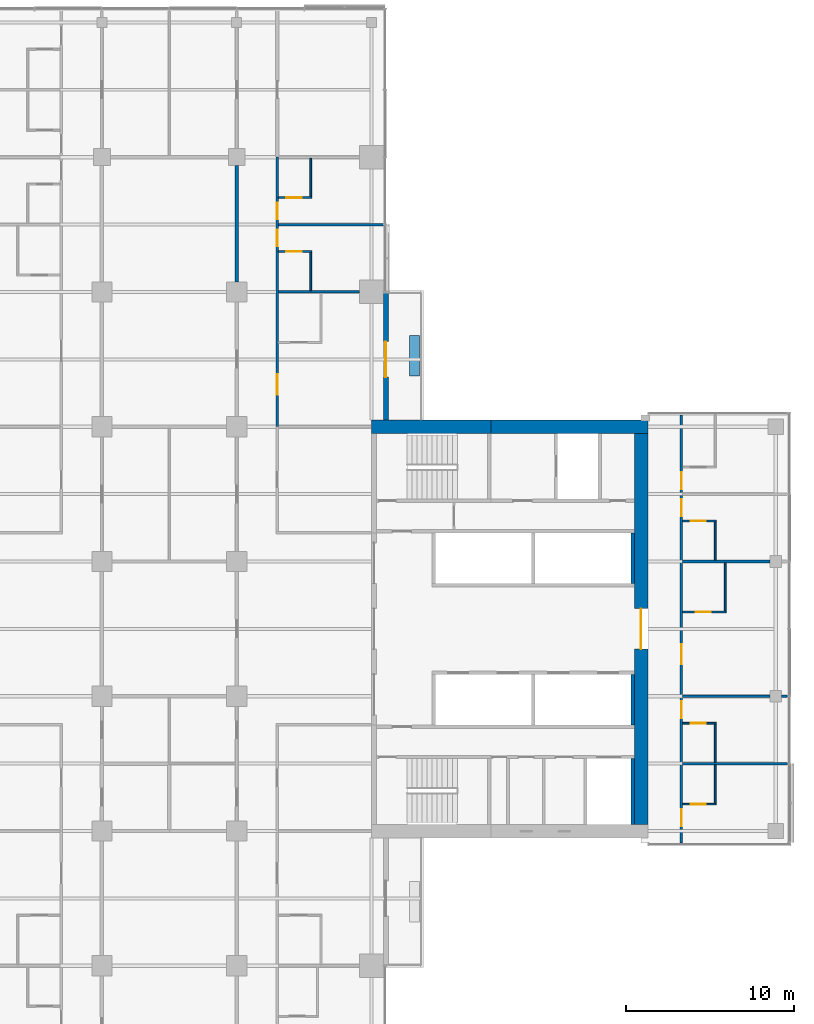
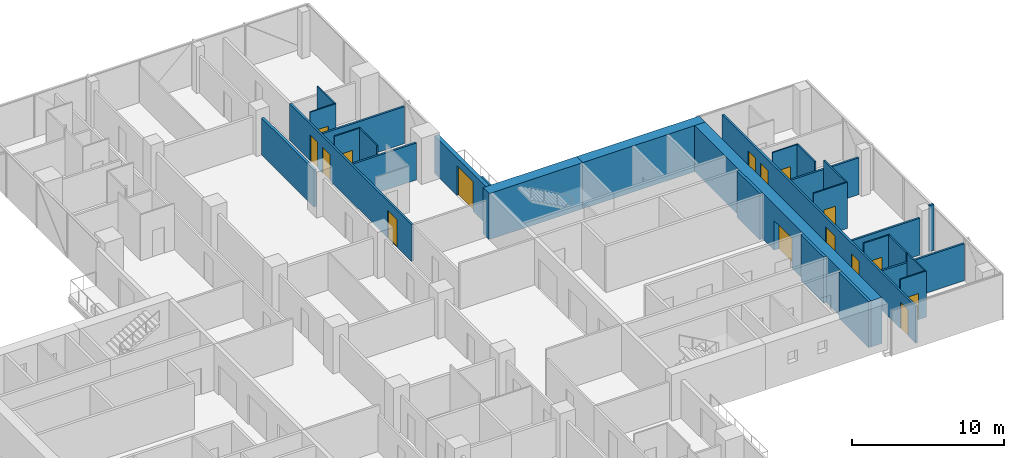
# One storey, part 21 of 27: 29 walls, 16 doors, 16 openings.
"""IFC4 building model written with IfcOpenShell, lengths in metres."""

import ifcopenshell
import ifcopenshell.guid

model = None  # the IFC model being written
_history = None  # IfcOwnerHistory: only IFC2X3 demands one
_inside = {}  # id of a spatial element -> (the spatial element, [elements in it])
_under = {}  # id of a project, library or spatial element -> (it, [spatial elements below it])
_declared = {}  # id of a project -> (the project, [libraries it declares])
_typed = {}  # id of a type object -> (the type object, [elements of that type])
_made_of = {}  # id of a material, layer set ... -> (it, [elements and type objects made of it])


def new_model(schema):
    """Start an empty IFC model of exactly this schema.

    Asked for "IFC4X3", IfcOpenShell would pick the latest addendum, in which some entities
    have other attributes; the version numbers below select the first issue.
    IFC2X3 requires an IfcOwnerHistory on every rooted entity: one is made here for all.
    """
    global model, _history
    if schema == "IFC4X3":
        model = ifcopenshell.file(schema_version=(4, 3, 0, 0))
    else:
        model = ifcopenshell.file(schema=schema)
    _inside.clear()
    _under.clear()
    _declared.clear()
    _typed.clear()
    _made_of.clear()
    _history = None
    if model.schema == "IFC2X3":
        org = make("IfcOrganization", Name="unknown")
        user = make(
            "IfcPersonAndOrganization",
            ThePerson=make("IfcPerson", FamilyName="unknown"),
            TheOrganization=org,
        )
        app = make(
            "IfcApplication",
            ApplicationDeveloper=org,
            Version="unknown",
            ApplicationFullName="unknown",
            ApplicationIdentifier="unknown",
        )
        _history = make(
            "IfcOwnerHistory",
            OwningUser=user,
            OwningApplication=app,
            ChangeAction="ADDED",
            CreationDate=0,
        )
    return model


def make(cls, **values):
    """One entity of the class cls with the attributes given. An attribute that is None is left unset."""
    return model.create_entity(
        cls, **{name: value for name, value in values.items() if value is not None}
    )


def rooted(cls, **values):
    """An entity with a GlobalId (a new one), such as an element, a storey or a relation."""
    return make(cls, GlobalId=ifcopenshell.guid.new(), OwnerHistory=_history, **values)


def si_unit(unit_type, name, prefix=None):
    """IfcSIUnit, for example si_unit("LENGTHUNIT", "METRE", prefix="MILLI")."""
    return make("IfcSIUnit", UnitType=unit_type, Prefix=prefix, Name=name)


def assignment(units):
    """IfcUnitAssignment: the units of a project."""
    return None if units is None else make("IfcUnitAssignment", Units=units)


def point(xyz):
    """IfcCartesianPoint."""
    return None if xyz is None else make("IfcCartesianPoint", Coordinates=xyz)


def direction(xyz):
    """IfcDirection."""
    return None if xyz is None else make("IfcDirection", DirectionRatios=xyz)


def frame(location, z_axis=None, x_axis=None):
    """IfcAxis2Placement3D, a coordinate frame: its origin and axes. An axis left out is left unset."""
    return make(
        "IfcAxis2Placement3D",
        Location=point(location),
        Axis=direction(z_axis),
        RefDirection=direction(x_axis),
    )


def frame_2d(location, x_axis=None):
    """IfcAxis2Placement2D, a coordinate frame in the plane: its origin and x axis."""
    return make(
        "IfcAxis2Placement2D", Location=point(location), RefDirection=direction(x_axis)
    )


def origin():
    """The frame at (0, 0, 0) with its axes left unset."""
    return frame((0.0, 0.0, 0.0))


def place(relative_to, where):
    """IfcLocalPlacement: puts the frame where relative to a parent placement (None: the world)."""
    return make(
        "IfcLocalPlacement", PlacementRelTo=relative_to, RelativePlacement=where
    )


def context(
    kind, dimensions, precision=None, world=None, true_north=None, identifier=None
):
    """IfcGeometricRepresentationContext, for example the 3D "Model" context."""
    return make(
        "IfcGeometricRepresentationContext",
        ContextIdentifier=identifier,
        ContextType=kind,
        CoordinateSpaceDimension=dimensions,
        Precision=precision,
        WorldCoordinateSystem=world,
        TrueNorth=true_north,
    )


def subcontext(parent, identifier, kind, view, scale=None):
    """IfcGeometricRepresentationSubContext, for example "Body" below "Model"."""
    return make(
        "IfcGeometricRepresentationSubContext",
        ContextIdentifier=identifier,
        ContextType=kind,
        ParentContext=parent,
        TargetScale=scale,
        TargetView=view,
    )


def project(units=None, contexts=None):
    """IfcProject with its units and contexts."""
    return rooted(
        "IfcProject",
        Name="project",
        RepresentationContexts=contexts,
        UnitsInContext=assignment(units),
    )


def spatial(cls, under=None, at=None, **own):
    """A site, building, storey or space (cls), placed at a placement, below another one or the project."""
    s = rooted(cls, ObjectPlacement=at, **own)
    if under is not None:
        _under.setdefault(under.id(), (under, []))[1].append(s)
    return s


def profile(cls, at=None, kind="AREA", **sizes):
    """A parametric profile (cls). Its sizes go by their IFC names, for example OverallWidth=200.0."""
    return make(cls, ProfileType=kind, Position=at, **sizes)


def rectangle(**sizes):
    """IfcRectangleProfileDef."""
    return profile("IfcRectangleProfileDef", **sizes)


def extrude(swept, where, along, depth):
    """IfcExtrudedAreaSolid: the profile swept, set in the frame where, extruded along a direction by depth."""
    return make(
        "IfcExtrudedAreaSolid",
        SweptArea=swept,
        Position=where,
        ExtrudedDirection=direction(along),
        Depth=depth,
    )


def shape(context_of_items, identifier, shape_type, items):
    """IfcShapeRepresentation: the items that make up one representation, for example the "Body"."""
    return make(
        "IfcShapeRepresentation",
        ContextOfItems=context_of_items,
        RepresentationIdentifier=identifier,
        RepresentationType=shape_type,
        Items=items,
    )


def material(Name=None, Category=None):
    """IfcMaterial."""
    return make("IfcMaterial", Name=Name, Category=Category)


def layer(
    of_material, thickness, ventilated=None, Name=None, Category=None, Priority=None
):
    """IfcMaterialLayer: one layer of a wall or slab, of a material (None: an air gap)."""
    return make(
        "IfcMaterialLayer",
        Material=of_material,
        LayerThickness=thickness,
        IsVentilated=ventilated,
        Name=Name,
        Category=Category,
        Priority=Priority,
    )


def layer_set(layers, Name=None):
    """IfcMaterialLayerSet."""
    return make("IfcMaterialLayerSet", MaterialLayers=layers, LayerSetName=Name)


def constituent(of_material, Name=None, Category=None, fraction=None):
    """IfcMaterialConstituent: one of the materials an element consists of."""
    return make(
        "IfcMaterialConstituent",
        Name=Name,
        Material=of_material,
        Fraction=fraction,
        Category=Category,
    )


def constituent_set(constituents=None, Name=None):
    """IfcMaterialConstituentSet."""
    return make(
        "IfcMaterialConstituentSet", Name=Name, MaterialConstituents=constituents
    )


def made_of(thing, what):
    """Note that an element or type object is made of a material, layer set ...; save() writes the relation."""
    if what is not None:
        _made_of.setdefault(what.id(), (what, []))[1].append(thing)
    return thing


def type_object(cls, material=None, **own):
    """A type object (cls), such as IfcWallType, which elements share."""
    return made_of(rooted(cls, **own), material)


def element(
    cls,
    number,
    at=None,
    inside=None,
    cuts=None,
    type_object=None,
    material=None,
    context=None,
    identifier="Body",
    shape_type=None,
    held_by="IfcProductDefinitionShape",
    body=None,
    shapes=None,
    **own,
):
    """One element of the class cls, such as IfcWall. Its Tag is "e" and its number.

    at: its placement. inside: the storey or other place that contains it. cuts: it is an
    opening in that element (IfcRelVoidsElement). A single representation is given by context,
    identifier, shape_type and body (its items); several are given by shapes. held_by: the class
    of the entity that holds the representations. save() writes the other relations.
    """
    e = rooted(cls, Tag="e%d" % number, ObjectPlacement=at, **own)
    if body is not None:
        shapes = [shape(context, identifier, shape_type, body)]
    if shapes is not None:
        e.Representation = make(held_by, Representations=shapes)
    if inside is not None:
        _inside.setdefault(inside.id(), (inside, []))[1].append(e)
    if cuts is not None:
        rooted(
            "IfcRelVoidsElement", RelatingBuildingElement=cuts, RelatedOpeningElement=e
        )
    if type_object is not None:
        _typed.setdefault(type_object.id(), (type_object, []))[1].append(e)
    return made_of(e, material)


def fill(opening, filler):
    """IfcRelFillsElement: the door or window that sits in an opening."""
    return rooted(
        "IfcRelFillsElement",
        RelatingOpeningElement=opening,
        RelatedBuildingElement=filler,
    )


def aggregate(whole, parts):
    """IfcRelAggregates: a whole, such as a stair, and the parts it consists of."""
    return rooted("IfcRelAggregates", RelatingObject=whole, RelatedObjects=parts)


def save(model, path):
    """Write the relations noted so far, then the file.

    IfcRelAggregates (storeys below a building ...), IfcRelContainedInSpatialStructure (elements
    in a storey), IfcRelDefinesByType, IfcRelAssociatesMaterial and IfcRelDeclares: one each for
    every whole, place, type object, material and project.
    """
    for whole, parts in _under.values():
        aggregate(whole, parts)
    for where, things in _inside.values():
        rooted(
            "IfcRelContainedInSpatialStructure",
            RelatedElements=things,
            RelatingStructure=where,
        )
    for kind, things in _typed.values():
        rooted("IfcRelDefinesByType", RelatedObjects=things, RelatingType=kind)
    for what, things in _made_of.values():
        rooted("IfcRelAssociatesMaterial", RelatedObjects=things, RelatingMaterial=what)
    for by, libraries in _declared.values():
        rooted("IfcRelDeclares", RelatingContext=by, RelatedDefinitions=libraries)
    model.write(path)


model = new_model("IFC4")

# Units and contexts
model_context = context("Model", 3, precision=1e-05, world=origin(), true_north=direction((0.0, 1.0)))
body_context = subcontext(model_context, "Body", "Model", "MODEL_VIEW")
ifc_project = project(units=[si_unit("LENGTHUNIT", "METRE"), si_unit("AREAUNIT", "SQUARE_METRE"), si_unit("VOLUMEUNIT", "CUBIC_METRE"), si_unit("PLANEANGLEUNIT", "RADIAN"), si_unit("MASSUNIT", "GRAM", prefix="KILO")], contexts=[model_context])

# Site, building, storey
site_placement = place(None, origin())
site = spatial("IfcSite", under=ifc_project, at=site_placement, CompositionType="ELEMENT")
building_placement = place(site_placement, origin())
building = spatial("IfcBuilding", under=site, at=building_placement, Name="Crosswind Convention Tower", CompositionType="ELEMENT")
storey_placement = place(building_placement, frame((0.0, 0.0, 72.0)))
storey = spatial("IfcBuildingStorey", under=building, at=storey_placement, Name="L12", CompositionType="ELEMENT", Elevation=72.0)

# Wall, opening, door
ifc_material_1 = material(Name="Concrete C60/75", Category="concrete")
ifc_layer_1 = layer(ifc_material_1, 0.800048828125)
ifc_layer_set_1 = layer_set([ifc_layer_1], Name="Concrete C60/75")
wall_type_1 = type_object("IfcWallType", Name="Concrete core wall 800", PredefinedType="SHEAR", material=ifc_layer_set_1)
wall_1_placement = place(storey_placement, frame((153.0, 88.39990234375, 0.0), z_axis=(0.0, 0.0, 1.0), x_axis=(0.0, 1.0, 0.0)))
wall_1 = element("IfcWall", 1, at=wall_1_placement, inside=storey, type_object=wall_type_1, Name="Wall O E L12", PredefinedType="SHEAR", context=body_context, shape_type="SweptSolid", body=[
    extrude(rectangle(XDim=23.2001953125, YDim=0.800048828125, at=frame_2d((11.60009765625, 0.0))), origin(), (0.0, 0.0, 1.0), 3.699951171875),
])
opening_1_placement = place(wall_1_placement, frame((10.39990234375, 0.0, 0.0)))
opening_1 = element("IfcOpeningElement", 2, at=opening_1_placement, cuts=wall_1, Name="Opening D100", PredefinedType="OPENING", context=body_context, shape_type="SweptSolid", body=[
    extrude(rectangle(XDim=2.39990234375, YDim=2.39990234375, at=frame_2d((1.199951171875, 1.199951171875))), frame((0.0, 0.409912109375, 0.0), z_axis=(0.0, -1.0, 0.0), x_axis=(1.0, 0.0, 0.0)), (0.0, 0.0, 1.0), 0.820068359375),
])
ifc_material_2 = material(Name="Steel fire door with glazed vision panels", Category="steel")
door_type_1 = type_object("IfcDoorType", Name="Fire-rated double door 2400x2400", OperationType="DOUBLE_DOOR_SINGLE_SWING", PredefinedType="DOOR", material=ifc_material_2)
door_1_placement = place(opening_1_placement, origin())
door_1 = element("IfcDoor", 3, at=door_1_placement, inside=storey, type_object=door_type_1, Name="Lobby outer door L12", ObjectType="D100", OperationType="DOUBLE_DOOR_SINGLE_SWING", OverallHeight=2.39990234375, OverallWidth=2.39990234375, PredefinedType="DOOR", context=body_context, shape_type="SweptSolid", body=[
    extrude(rectangle(XDim=2.39990234375, YDim=2.39990234375, at=frame_2d((1.199951171875, 1.199951171875))), frame((0.0, 0.02490234375, 0.0), z_axis=(0.0, -1.0, 0.0), x_axis=(1.0, 0.0, 0.0)), (0.0, 0.0, 1.0), 0.050048828125),
])
fill(opening_1, door_1)

# Walls
ifc_material_3 = material(Name="Concrete C50/60", Category="concrete")
ifc_layer_2 = layer(ifc_material_3, 0.199951171875)
ifc_layer_set_2 = layer_set([ifc_layer_2], Name="Concrete C50/60")
wall_type_2 = type_object("IfcWallType", Name="Concrete shaft and stair wall 200", PredefinedType="SHEAR", material=ifc_layer_set_2)
for number, where, z_axis, x_axis, name in (
    (4, (152.5, 102.699951171875, 0.0), (0.0, 0.0, 1.0), (0.0, 1.0, 0.0), "Wall RPEAST E L12"),
    (5, (152.5, 94.300048828125, 0.0), (0.0, 0.0, 1.0), (0.0, 1.0, 0.0), "Wall RMEAST E L12"),
):
    element("IfcWall", number, at=place(storey_placement, frame(where, z_axis=z_axis, x_axis=x_axis)), inside=storey, type_object=wall_type_2, Name=name, PredefinedType="SHEAR", context=body_context, shape_type="SweptSolid", body=[
        extrude(rectangle(XDim=3.0, YDim=0.199951171875, at=frame_2d((1.5, 0.0))), origin(), (0.0, 0.0, 1.0), 3.699951171875),
    ])
wall_2_placement = place(storey_placement, frame((152.5, 88.39990234375, 0.0), z_axis=(0.0, 0.0, 1.0), x_axis=(0.0, 1.0, 0.0)))
element("IfcWall", 6, at=wall_2_placement, inside=storey, type_object=wall_type_2, Name="Wall MFSE E L12", PredefinedType="SHEAR", context=body_context, shape_type="SweptSolid", body=[
    extrude(rectangle(XDim=3.900146484375, YDim=0.199951171875, at=frame_2d((1.9501953125, 0.0))), origin(), (0.0, 0.0, 1.0), 3.699951171875),
])
ifc_material_4 = material(Name="Acoustic plasterboard partition", Category="gypsum")
ifc_layer_3 = layer(ifc_material_4, 0.14990234375)
ifc_layer_set_3 = layer_set([ifc_layer_3], Name="GUEST ROOM WALL 150")
wall_type_3 = type_object("IfcWallType", Name="GUEST ROOM WALL 150", PredefinedType="PARTITIONING", material=ifc_layer_set_3)
wall_3_placement = place(storey_placement, frame((155.47509765625, 92.0, 0.0), z_axis=(0.0, 0.0, 1.0), x_axis=(1.0, 0.0, 0.0)))
element("IfcWall", 7, at=wall_3_placement, inside=storey, type_object=wall_type_3, Name="Guest Room Wall 24", PredefinedType="PARTITIONING", context=body_context, shape_type="SweptSolid", body=[
    extrude(rectangle(XDim=6.224853515625, YDim=0.14990234375, at=frame_2d((3.1123046875, 0.0))), origin(), (0.0, 0.0, 1.0), 2.962890625),
])
wall_4_placement = place(storey_placement, frame((155.47509765625, 96.0, 0.0), z_axis=(0.0, 0.0, 1.0), x_axis=(1.0, 0.0, 0.0)))
element("IfcWall", 8, at=wall_4_placement, inside=storey, type_object=wall_type_3, Name="Guest Room Wall 32", PredefinedType="PARTITIONING", context=body_context, shape_type="SweptSolid", body=[
    extrude(rectangle(XDim=5.1748046875, YDim=0.14990234375, at=frame_2d((2.58740234375, 0.0))), origin(), (0.0, 0.0, 1.0), 2.956298828125),
])
wall_5_placement = place(storey_placement, frame((161.35009765625, 96.0, 0.0), z_axis=(0.0, 0.0, 1.0), x_axis=(1.0, 0.0, 0.0)))
element("IfcWall", 9, at=wall_5_placement, inside=storey, type_object=wall_type_3, Name="Guest Room Wall 33", PredefinedType="PARTITIONING", context=body_context, shape_type="SweptSolid", body=[
    extrude(rectangle(XDim=0.349853515625, YDim=0.14990234375, at=frame_2d((0.1748046875, 0.0))), origin(), (0.0, 0.0, 1.0), 3.699951171875),
])
wall_6_placement = place(storey_placement, frame((155.47509765625, 104.0, 0.0), z_axis=(0.0, 0.0, 1.0), x_axis=(1.0, 0.0, 0.0)))
element("IfcWall", 10, at=wall_6_placement, inside=storey, type_object=wall_type_3, Name="Guest Room Wall 41", PredefinedType="PARTITIONING", context=body_context, shape_type="SweptSolid", body=[
    extrude(rectangle(XDim=5.1748046875, YDim=0.14990234375, at=frame_2d((2.58740234375, 0.0))), origin(), (0.0, 0.0, 1.0), 2.956298828125),
])
wall_7_placement = place(storey_placement, frame((131.47509765625, 120.0, 0.0), z_axis=(0.0, 0.0, 1.0), x_axis=(1.0, 0.0, 0.0)))
element("IfcWall", 11, at=wall_7_placement, inside=storey, type_object=wall_type_3, Name="Guest Room Wall 55", PredefinedType="PARTITIONING", context=body_context, shape_type="SweptSolid", body=[
    extrude(rectangle(XDim=4.824951171875, YDim=0.14990234375, at=frame_2d((2.41259765625, 0.0))), origin(), (0.0, 0.0, 1.0), 2.959716796875),
])
wall_8_placement = place(storey_placement, frame((131.47509765625, 124.0, 0.0), z_axis=(0.0, 0.0, 1.0), x_axis=(1.0, 0.0, 0.0)))
element("IfcWall", 12, at=wall_8_placement, inside=storey, type_object=wall_type_3, Name="Guest Room Wall 59", PredefinedType="PARTITIONING", context=body_context, shape_type="SweptSolid", body=[
    extrude(rectangle(XDim=6.224853515625, YDim=0.14990234375, at=frame_2d((3.1123046875, 0.0))), origin(), (0.0, 0.0, 1.0), 2.962890625),
])

# Wall, openings, doors
wall_9_placement = place(storey_placement, frame((131.39990234375, 112.0, 0.0), z_axis=(0.0, 0.0, 1.0), x_axis=(0.0, 1.0, 0.0)))
wall_9 = element("IfcWall", 13, at=wall_9_placement, inside=storey, type_object=wall_type_3, Name="Guest Room Wall 118", PredefinedType="PARTITIONING", context=body_context, shape_type="SweptSolid", body=[
    extrude(rectangle(XDim=16.0, YDim=0.14990234375, at=frame_2d((8.0, 0.0))), origin(), (0.0, 0.0, 1.0), 2.956298828125),
])
opening_2_placement = place(wall_9_placement, frame((1.89990234375, 0.0, 0.0)))
opening_2 = element("IfcOpeningElement", 14, at=opening_2_placement, cuts=wall_9, Name="Opening 12.005", PredefinedType="OPENING", context=body_context, shape_type="SweptSolid", body=[
    extrude(rectangle(XDim=1.199951171875, YDim=2.199951171875, at=frame_2d((0.60009765625, 1.10009765625))), frame((0.0, 0.0849609375, 0.0), z_axis=(0.0, -1.0, 0.0), x_axis=(1.0, 0.0, 0.0)), (0.0, 0.0, 1.0), 0.169921875),
])
opening_3_placement = place(wall_9_placement, frame((10.699951171875, 0.0, 0.0)))
opening_3 = element("IfcOpeningElement", 15, at=opening_3_placement, cuts=wall_9, Name="Opening 12.007", PredefinedType="OPENING", context=body_context, shape_type="SweptSolid", body=[
    extrude(rectangle(XDim=1.0, YDim=2.10009765625, at=frame_2d((0.5, 1.050048828125))), frame((0.0, 0.0849609375, 0.0), z_axis=(0.0, -1.0, 0.0), x_axis=(1.0, 0.0, 0.0)), (0.0, 0.0, 1.0), 0.169921875),
])
opening_4_placement = place(wall_9_placement, frame((12.300048828125, 0.0, 0.0)))
opening_4 = element("IfcOpeningElement", 16, at=opening_4_placement, cuts=wall_9, Name="Opening 12.009", PredefinedType="OPENING", context=body_context, shape_type="SweptSolid", body=[
    extrude(rectangle(XDim=1.0, YDim=2.10009765625, at=frame_2d((0.5, 1.050048828125))), frame((0.0, 0.0849609375, 0.0), z_axis=(0.0, -1.0, 0.0), x_axis=(1.0, 0.0, 0.0)), (0.0, 0.0, 1.0), 0.169921875),
])
ifc_material_5 = material(Name="Timber fire door", Category="wood")
door_type_2 = type_object("IfcDoorType", Name="GUEST ROOM DOOR 1000X2100", OperationType="NOTDEFINED", PredefinedType="DOOR", material=ifc_material_5)
door_2_placement = place(opening_3_placement, frame((1.0, 0.0, 0.0), z_axis=(0.0, 0.0, 1.0), x_axis=(-1.0, 0.0, 0.0)))
door_2 = element("IfcDoor", 17, at=door_2_placement, inside=storey, type_object=door_type_2, Name="Door 12.007", ObjectType="D1", OperationType="SINGLE_SWING_LEFT", OverallHeight=2.10009765625, OverallWidth=1.0, PredefinedType="DOOR", context=body_context, shape_type="SweptSolid", body=[
    extrude(rectangle(XDim=1.0, YDim=2.10009765625, at=frame_2d((0.5, 1.050048828125))), frame((0.0, 0.02490234375, 0.0), z_axis=(0.0, -1.0, 0.0), x_axis=(1.0, 0.0, 0.0)), (0.0, 0.0, 1.0), 0.050048828125),
])
fill(opening_3, door_2)
door_3_placement = place(opening_4_placement, frame((1.0, 0.0, 0.0), z_axis=(0.0, 0.0, 1.0), x_axis=(-1.0, 0.0, 0.0)))
door_3 = element("IfcDoor", 18, at=door_3_placement, inside=storey, type_object=door_type_2, Name="Door 12.009", ObjectType="D1", OperationType="SINGLE_SWING_LEFT", OverallHeight=2.10009765625, OverallWidth=1.0, PredefinedType="DOOR", context=body_context, shape_type="SweptSolid", body=[
    extrude(rectangle(XDim=1.0, YDim=2.10009765625, at=frame_2d((0.5, 1.050048828125))), frame((0.0, 0.02490234375, 0.0), z_axis=(0.0, -1.0, 0.0), x_axis=(1.0, 0.0, 0.0)), (0.0, 0.0, 1.0), 0.050048828125),
])
fill(opening_4, door_3)
door_type_3 = type_object("IfcDoorType", Name="SUITE DOOR 1200X2200", OperationType="DOUBLE_DOOR_SINGLE_SWING", PredefinedType="DOOR", material=ifc_material_5)
door_4_placement = place(opening_2_placement, frame((1.199951171875, 0.0, 0.0), z_axis=(0.0, 0.0, 1.0), x_axis=(-1.0, 0.0, 0.0)))
door_4 = element("IfcDoor", 19, at=door_4_placement, inside=storey, type_object=door_type_3, Name="Door 12.005", ObjectType="D14", OperationType="DOUBLE_DOOR_SINGLE_SWING", OverallHeight=2.199951171875, OverallWidth=1.199951171875, PredefinedType="DOOR", context=body_context, shape_type="SweptSolid", body=[
    extrude(rectangle(XDim=1.199951171875, YDim=2.199951171875, at=frame_2d((0.60009765625, 1.10009765625))), frame((0.0, 0.02490234375, 0.0), z_axis=(0.0, -1.0, 0.0), x_axis=(1.0, 0.0, 0.0)), (0.0, 0.0, 1.0), 0.050048828125),
])
fill(opening_2, door_4)

wall_10_placement = place(storey_placement, frame((155.39990234375, 87.300048828125, 0.0), z_axis=(0.0, 0.0, 1.0), x_axis=(0.0, 1.0, 0.0)))
wall_10 = element("IfcWall", 20, at=wall_10_placement, inside=storey, type_object=wall_type_3, Name="Guest Room Wall 127", PredefinedType="PARTITIONING", context=body_context, shape_type="SweptSolid", body=[
    extrude(rectangle(XDim=25.39990234375, YDim=0.14990234375, at=frame_2d((12.699951171875, 0.0))), origin(), (0.0, 0.0, 1.0), 2.956298828125),
])
opening_5_placement = place(wall_10_placement, frame((1.0, 0.0, 0.0)))
opening_5 = element("IfcOpeningElement", 21, at=opening_5_placement, cuts=wall_10, Name="Opening 12.035", PredefinedType="OPENING", context=body_context, shape_type="SweptSolid", body=[
    extrude(rectangle(XDim=1.0, YDim=2.10009765625, at=frame_2d((0.5, 1.050048828125))), frame((0.0, 0.0849609375, 0.0), z_axis=(0.0, -1.0, 0.0), x_axis=(1.0, 0.0, 0.0)), (0.0, 0.0, 1.0), 0.169921875),
])
opening_6_placement = place(wall_10_placement, frame((7.39990234375, 0.0, 0.0)))
opening_6 = element("IfcOpeningElement", 22, at=opening_6_placement, cuts=wall_10, Name="Opening 12.037", PredefinedType="OPENING", context=body_context, shape_type="SweptSolid", body=[
    extrude(rectangle(XDim=1.0, YDim=2.10009765625, at=frame_2d((0.5, 1.050048828125))), frame((0.0, 0.0849609375, 0.0), z_axis=(0.0, -1.0, 0.0), x_axis=(1.0, 0.0, 0.0)), (0.0, 0.0, 1.0), 0.169921875),
])
opening_7_placement = place(wall_10_placement, frame((10.60009765625, 0.0, 0.0)))
opening_7 = element("IfcOpeningElement", 23, at=opening_7_placement, cuts=wall_10, Name="Opening 12.039", PredefinedType="OPENING", context=body_context, shape_type="SweptSolid", body=[
    extrude(rectangle(XDim=1.199951171875, YDim=2.199951171875, at=frame_2d((0.60009765625, 1.10009765625))), frame((0.0, 0.0849609375, 0.0), z_axis=(0.0, -1.0, 0.0), x_axis=(1.0, 0.0, 0.0)), (0.0, 0.0, 1.0), 0.169921875),
])
opening_8_placement = place(wall_10_placement, frame((19.39990234375, 0.0, 0.0)))
opening_8 = element("IfcOpeningElement", 24, at=opening_8_placement, cuts=wall_10, Name="Opening 12.041", PredefinedType="OPENING", context=body_context, shape_type="SweptSolid", body=[
    extrude(rectangle(XDim=1.0, YDim=2.10009765625, at=frame_2d((0.5, 1.050048828125))), frame((0.0, 0.0849609375, 0.0), z_axis=(0.0, -1.0, 0.0), x_axis=(1.0, 0.0, 0.0)), (0.0, 0.0, 1.0), 0.169921875),
])
opening_9_placement = place(wall_10_placement, frame((21.0, 0.0, 0.0)))
opening_9 = element("IfcOpeningElement", 25, at=opening_9_placement, cuts=wall_10, Name="Opening 12.043", PredefinedType="OPENING", context=body_context, shape_type="SweptSolid", body=[
    extrude(rectangle(XDim=1.0, YDim=2.10009765625, at=frame_2d((0.5, 1.050048828125))), frame((0.0, 0.0849609375, 0.0), z_axis=(0.0, -1.0, 0.0), x_axis=(1.0, 0.0, 0.0)), (0.0, 0.0, 1.0), 0.169921875),
])
door_5_placement = place(opening_5_placement, frame((1.0, 0.0, 0.0), z_axis=(0.0, 0.0, 1.0), x_axis=(-1.0, 0.0, 0.0)))
door_5 = element("IfcDoor", 26, at=door_5_placement, inside=storey, type_object=door_type_2, Name="Door 12.035", ObjectType="D1", OperationType="SINGLE_SWING_LEFT", OverallHeight=2.10009765625, OverallWidth=1.0, PredefinedType="DOOR", context=body_context, shape_type="SweptSolid", body=[
    extrude(rectangle(XDim=1.0, YDim=2.10009765625, at=frame_2d((0.5, 1.050048828125))), frame((0.0, 0.02490234375, 0.0), z_axis=(0.0, -1.0, 0.0), x_axis=(1.0, 0.0, 0.0)), (0.0, 0.0, 1.0), 0.050048828125),
])
fill(opening_5, door_5)
door_6_placement = place(opening_6_placement, frame((1.0, 0.0, 0.0), z_axis=(0.0, 0.0, 1.0), x_axis=(-1.0, 0.0, 0.0)))
door_6 = element("IfcDoor", 27, at=door_6_placement, inside=storey, type_object=door_type_2, Name="Door 12.037", ObjectType="D1", OperationType="SINGLE_SWING_LEFT", OverallHeight=2.10009765625, OverallWidth=1.0, PredefinedType="DOOR", context=body_context, shape_type="SweptSolid", body=[
    extrude(rectangle(XDim=1.0, YDim=2.10009765625, at=frame_2d((0.5, 1.050048828125))), frame((0.0, 0.02490234375, 0.0), z_axis=(0.0, -1.0, 0.0), x_axis=(1.0, 0.0, 0.0)), (0.0, 0.0, 1.0), 0.050048828125),
])
fill(opening_6, door_6)
door_7_placement = place(opening_8_placement, frame((1.0, 0.0, 0.0), z_axis=(0.0, 0.0, 1.0), x_axis=(-1.0, 0.0, 0.0)))
door_7 = element("IfcDoor", 28, at=door_7_placement, inside=storey, type_object=door_type_2, Name="Door 12.041", ObjectType="D1", OperationType="SINGLE_SWING_LEFT", OverallHeight=2.10009765625, OverallWidth=1.0, PredefinedType="DOOR", context=body_context, shape_type="SweptSolid", body=[
    extrude(rectangle(XDim=1.0, YDim=2.10009765625, at=frame_2d((0.5, 1.050048828125))), frame((0.0, 0.02490234375, 0.0), z_axis=(0.0, -1.0, 0.0), x_axis=(1.0, 0.0, 0.0)), (0.0, 0.0, 1.0), 0.050048828125),
])
fill(opening_8, door_7)
door_8_placement = place(opening_9_placement, frame((1.0, 0.0, 0.0), z_axis=(0.0, 0.0, 1.0), x_axis=(-1.0, 0.0, 0.0)))
door_8 = element("IfcDoor", 29, at=door_8_placement, inside=storey, type_object=door_type_2, Name="Door 12.043", ObjectType="D1", OperationType="SINGLE_SWING_LEFT", OverallHeight=2.10009765625, OverallWidth=1.0, PredefinedType="DOOR", context=body_context, shape_type="SweptSolid", body=[
    extrude(rectangle(XDim=1.0, YDim=2.10009765625, at=frame_2d((0.5, 1.050048828125))), frame((0.0, 0.02490234375, 0.0), z_axis=(0.0, -1.0, 0.0), x_axis=(1.0, 0.0, 0.0)), (0.0, 0.0, 1.0), 0.050048828125),
])
fill(opening_9, door_8)
door_9_placement = place(opening_7_placement, frame((1.199951171875, 0.0, 0.0), z_axis=(0.0, 0.0, 1.0), x_axis=(-1.0, 0.0, 0.0)))
door_9 = element("IfcDoor", 30, at=door_9_placement, inside=storey, type_object=door_type_3, Name="Door 12.039", ObjectType="D14", OperationType="DOUBLE_DOOR_SINGLE_SWING", OverallHeight=2.199951171875, OverallWidth=1.199951171875, PredefinedType="DOOR", context=body_context, shape_type="SweptSolid", body=[
    extrude(rectangle(XDim=1.199951171875, YDim=2.199951171875, at=frame_2d((0.60009765625, 1.10009765625))), frame((0.0, 0.02490234375, 0.0), z_axis=(0.0, -1.0, 0.0), x_axis=(1.0, 0.0, 0.0)), (0.0, 0.0, 1.0), 0.050048828125),
])
fill(opening_7, door_9)

# Walls
ifc_material_6 = material(Name="Double plasterboard partition", Category="gypsum")
ifc_layer_4 = layer(ifc_material_6, 0.199951171875)
ifc_layer_set_4 = layer_set([ifc_layer_4], Name="HALL WALL 200")
wall_type_4 = type_object("IfcWallType", Name="HALL WALL 200", PredefinedType="PARTITIONING", material=ifc_layer_set_4)
wall_11_placement = place(storey_placement, frame((129.0, 120.60009765625, 0.0), z_axis=(0.0, 0.0, 1.0), x_axis=(0.0, 1.0, 0.0)))
element("IfcWall", 31, at=wall_11_placement, inside=storey, type_object=wall_type_4, Name="Hall Wall 112", PredefinedType="PARTITIONING", context=body_context, shape_type="SweptSolid", body=[
    extrude(rectangle(XDim=6.89990234375, YDim=0.199951171875, at=frame_2d((3.449951171875, 0.0))), origin(), (0.0, 0.0, 1.0), 2.959716796875),
])
ifc_material_7 = material(Name="Concrete C30/37", Category="concrete")
ifc_layer_5 = layer(ifc_material_7, 0.60009765625)
ifc_layer_set_5 = layer_set([ifc_layer_5], Name="Concrete C30/37")
wall_type_5 = type_object("IfcWallType", Name="PLANTER BOX WALL 600", PredefinedType="SOLIDWALL", material=ifc_layer_set_5)
wall_12_placement = place(storey_placement, frame((139.550048828125, 115.0, 0.0), z_axis=(0.0, 0.0, 1.0), x_axis=(0.0, 1.0, 0.0)))
element("IfcWall", 32, at=wall_12_placement, inside=storey, type_object=wall_type_5, Name="PLANTER L12 N-E.1-1", PredefinedType="SOLIDWALL", context=body_context, shape_type="SweptSolid", body=[
    extrude(rectangle(XDim=2.39990234375, YDim=0.60009765625, at=frame_2d((1.199951171875, 0.0))), origin(), (0.0, 0.0, 1.0), 0.60009765625),
])

# Wall, opening, door
ifc_material_8 = material(Name="Terracotta rainscreen", Category="ceramic")
ifc_layer_6 = layer(ifc_material_8, 0.02001953125)
ifc_material_9 = material(Name="Mineral wool insulation", Category="insulation")
ifc_layer_7 = layer(ifc_material_9, 0.10009765625)
ifc_material_10 = material(Name="Concrete blockwork", Category="masonry")
ifc_layer_8 = layer(ifc_material_10, 0.179931640625)
ifc_layer_set_6 = layer_set([ifc_layer_6, ifc_layer_7, ifc_layer_8], Name="TERRACOTTA INFILL WALL 300")
wall_type_6 = type_object("IfcWallType", Name="TERRACOTTA INFILL WALL 300", PredefinedType="SOLIDWALL", material=ifc_layer_set_6)
wall_13_placement = place(storey_placement, frame((137.85009765625, 112.39990234375, 0.0), z_axis=(0.0, 0.0, 1.0), x_axis=(0.0, 1.0, 0.0)))
wall_13 = element("IfcWall", 33, at=wall_13_placement, inside=storey, type_object=wall_type_6, Name="Notch front wall L12 N-E.1-1", PredefinedType="SOLIDWALL", context=body_context, shape_type="SweptSolid", body=[
    extrude(rectangle(XDim=7.567626953125, YDim=0.300048828125, at=frame_2d((3.78369140625, 0.0))), origin(), (0.0, 0.0, 1.0), 3.013671875),
])
opening_10_placement = place(wall_13_placement, frame((2.550048828125, 0.0, 0.0)))
opening_10 = element("IfcOpeningElement", 34, at=opening_10_placement, cuts=wall_13, Name="Opening D141", PredefinedType="OPENING", context=body_context, shape_type="SweptSolid", body=[
    extrude(rectangle(XDim=2.10009765625, YDim=2.39990234375, at=frame_2d((1.050048828125, 1.199951171875))), frame((0.0, 0.159912109375, 0.0), z_axis=(0.0, -1.0, 0.0), x_axis=(1.0, 0.0, 0.0)), (0.0, 0.0, 1.0), 0.320068359375),
])
ifc_material_11 = material(Name="Aluminium glazed door", Category="aluminium")
door_type_4 = type_object("IfcDoorType", Name="BALCONY SLIDING DOOR 2100X2400", OperationType="SLIDING_TO_LEFT", PredefinedType="DOOR", material=ifc_material_11)
door_10_placement = place(opening_10_placement, frame((2.10009765625, 0.0, 0.0), z_axis=(0.0, 0.0, 1.0), x_axis=(-1.0, 0.0, 0.0)))
door_10 = element("IfcDoor", 35, at=door_10_placement, inside=storey, type_object=door_type_4, Name="D141 balcony door L12 N-E.1-1", ObjectType="D141", OperationType="SLIDING_TO_LEFT", OverallHeight=2.39990234375, OverallWidth=2.10009765625, PredefinedType="DOOR", context=body_context, shape_type="SweptSolid", body=[
    extrude(rectangle(XDim=2.10009765625, YDim=2.39990234375, at=frame_2d((1.050048828125, 1.199951171875))), frame((0.0, 0.02490234375, 0.0), z_axis=(0.0, -1.0, 0.0), x_axis=(1.0, 0.0, 0.0)), (0.0, 0.0, 1.0), 0.050048828125),
])
fill(opening_10, door_10)

# Walls
ifc_constituent_1 = constituent(ifc_material_1, Name="Structure")
ifc_constituent_2 = constituent(ifc_material_8, Name="Facing")
ifc_constituent_set = constituent_set(constituents=[ifc_constituent_1, ifc_constituent_2], Name="Concrete C60/75, Terracotta rainscreen")
wall_type_7 = type_object("IfcWallType", Name="Terracotta rainscreen on concrete core wall 800", PredefinedType="SHEAR", material=ifc_constituent_set)
wall_14_placement = place(storey_placement, frame((137.0, 112.0, 0.0), z_axis=(0.0, 0.0, 1.0), x_axis=(1.0, 0.0, 0.0)))
element("IfcWall", 36, at=wall_14_placement, inside=storey, type_object=wall_type_7, Name="Wall N1 E L12", PredefinedType="SHEAR", context=body_context, shape_type="SweptSolid", body=[
    extrude(rectangle(XDim=7.10009765625, YDim=0.800048828125, at=frame_2d((3.550048828125, 0.0))), origin(), (0.0, 0.0, 1.0), 3.699951171875),
])
wall_15_placement = place(storey_placement, frame((144.10009765625, 112.0, 0.0), z_axis=(0.0, 0.0, 1.0), x_axis=(1.0, 0.0, 0.0)))
element("IfcWall", 37, at=wall_15_placement, inside=storey, type_object=wall_type_7, Name="Wall N2 E L12", PredefinedType="SHEAR", context=body_context, shape_type="SweptSolid", body=[
    extrude(rectangle(XDim=9.2998046875, YDim=0.800048828125, at=frame_2d((4.64990234375, 0.0))), origin(), (0.0, 0.0, 1.0), 3.699951171875),
])

# Wall, opening, door
ifc_material_12 = material(Name="Water-resistant plasterboard partition", Category="gypsum")
ifc_layer_9 = layer(ifc_material_12, 0.10009765625)
ifc_layer_set_7 = layer_set([ifc_layer_9], Name="WET ROOM PARTITION 100")
wall_type_8 = type_object("IfcWallType", Name="WET ROOM PARTITION 100", PredefinedType="PLUMBINGWALL", material=ifc_layer_set_7)
wall_16_placement = place(storey_placement, frame((155.47509765625, 89.60009765625, 0.0), z_axis=(0.0, 0.0, 1.0), x_axis=(1.0, 0.0, 0.0)))
wall_16 = element("IfcWall", 38, at=wall_16_placement, inside=storey, type_object=wall_type_8, Name="Wet Room Partition 20", PredefinedType="PLUMBINGWALL", context=body_context, shape_type="SweptSolid", body=[
    extrude(rectangle(XDim=1.974853515625, YDim=0.10009765625, at=frame_2d((0.9873046875, 0.0))), origin(), (0.0, 0.0, 1.0), 3.699951171875),
])
opening_11_placement = place(wall_16_placement, frame((0.47509765625, 0.0, 0.0)))
opening_11 = element("IfcOpeningElement", 39, at=opening_11_placement, cuts=wall_16, Name="Opening 12.036", PredefinedType="OPENING", context=body_context, shape_type="SweptSolid", body=[
    extrude(rectangle(XDim=0.89990234375, YDim=2.10009765625, at=frame_2d((0.449951171875, 1.050048828125))), frame((0.0, 0.06005859375, 0.0), z_axis=(0.0, -1.0, 0.0), x_axis=(1.0, 0.0, 0.0)), (0.0, 0.0, 1.0), 0.1201171875),
])
ifc_material_13 = material(Name="Timber door", Category="wood")
door_type_5 = type_object("IfcDoorType", Name="EN-SUITE DOOR 900X2100", OperationType="NOTDEFINED", PredefinedType="DOOR", material=ifc_material_13)
door_11_placement = place(opening_11_placement, origin())
door_11 = element("IfcDoor", 40, at=door_11_placement, inside=storey, type_object=door_type_5, Name="Door 12.036", ObjectType="D2", OperationType="SINGLE_SWING_RIGHT", OverallHeight=2.10009765625, OverallWidth=0.89990234375, PredefinedType="DOOR", context=body_context, shape_type="SweptSolid", body=[
    extrude(rectangle(XDim=0.89990234375, YDim=2.10009765625, at=frame_2d((0.449951171875, 1.050048828125))), frame((0.0, 0.02490234375, 0.0), z_axis=(0.0, -1.0, 0.0), x_axis=(1.0, 0.0, 0.0)), (0.0, 0.0, 1.0), 0.050048828125),
])
fill(opening_11, door_11)

wall_17_placement = place(storey_placement, frame((155.47509765625, 94.39990234375, 0.0), z_axis=(0.0, 0.0, 1.0), x_axis=(1.0, 0.0, 0.0)))
wall_17 = element("IfcWall", 41, at=wall_17_placement, inside=storey, type_object=wall_type_8, Name="Wet Room Partition 28", PredefinedType="PLUMBINGWALL", context=body_context, shape_type="SweptSolid", body=[
    extrude(rectangle(XDim=1.974853515625, YDim=0.10009765625, at=frame_2d((0.9873046875, 0.0))), origin(), (0.0, 0.0, 1.0), 3.699951171875),
])
opening_12_placement = place(wall_17_placement, frame((0.47509765625, 0.0, 0.0)))
opening_12 = element("IfcOpeningElement", 42, at=opening_12_placement, cuts=wall_17, Name="Opening 12.038", PredefinedType="OPENING", context=body_context, shape_type="SweptSolid", body=[
    extrude(rectangle(XDim=0.89990234375, YDim=2.10009765625, at=frame_2d((0.449951171875, 1.050048828125))), frame((0.0, 0.06005859375, 0.0), z_axis=(0.0, -1.0, 0.0), x_axis=(1.0, 0.0, 0.0)), (0.0, 0.0, 1.0), 0.1201171875),
])
door_12_placement = place(opening_12_placement, frame((0.89990234375, 0.0, 0.0), z_axis=(0.0, 0.0, 1.0), x_axis=(-1.0, 0.0, 0.0)))
door_12 = element("IfcDoor", 43, at=door_12_placement, inside=storey, type_object=door_type_5, Name="Door 12.038", ObjectType="D2", OperationType="SINGLE_SWING_LEFT", OverallHeight=2.10009765625, OverallWidth=0.89990234375, PredefinedType="DOOR", context=body_context, shape_type="SweptSolid", body=[
    extrude(rectangle(XDim=0.89990234375, YDim=2.10009765625, at=frame_2d((0.449951171875, 1.050048828125))), frame((0.0, 0.02490234375, 0.0), z_axis=(0.0, -1.0, 0.0), x_axis=(1.0, 0.0, 0.0)), (0.0, 0.0, 1.0), 0.050048828125),
])
fill(opening_12, door_12)

wall_18_placement = place(storey_placement, frame((155.47509765625, 101.0, 0.0), z_axis=(0.0, 0.0, 1.0), x_axis=(1.0, 0.0, 0.0)))
wall_18 = element("IfcWall", 44, at=wall_18_placement, inside=storey, type_object=wall_type_8, Name="Wet Room Partition 36", PredefinedType="PLUMBINGWALL", context=body_context, shape_type="SweptSolid", body=[
    extrude(rectangle(XDim=2.574951171875, YDim=0.10009765625, at=frame_2d((1.28759765625, 0.0))), origin(), (0.0, 0.0, 1.0), 3.699951171875),
])
opening_13_placement = place(wall_18_placement, frame((0.77490234375, 0.0, 0.0)))
opening_13 = element("IfcOpeningElement", 45, at=opening_13_placement, cuts=wall_18, Name="Opening 12.040", PredefinedType="OPENING", context=body_context, shape_type="SweptSolid", body=[
    extrude(rectangle(XDim=0.89990234375, YDim=2.10009765625, at=frame_2d((0.449951171875, 1.050048828125))), frame((0.0, 0.06005859375, 0.0), z_axis=(0.0, -1.0, 0.0), x_axis=(1.0, 0.0, 0.0)), (0.0, 0.0, 1.0), 0.1201171875),
])
door_13_placement = place(opening_13_placement, origin())
door_13 = element("IfcDoor", 46, at=door_13_placement, inside=storey, type_object=door_type_5, Name="Door 12.040", ObjectType="D2", OperationType="SINGLE_SWING_RIGHT", OverallHeight=2.10009765625, OverallWidth=0.89990234375, PredefinedType="DOOR", context=body_context, shape_type="SweptSolid", body=[
    extrude(rectangle(XDim=0.89990234375, YDim=2.10009765625, at=frame_2d((0.449951171875, 1.050048828125))), frame((0.0, 0.02490234375, 0.0), z_axis=(0.0, -1.0, 0.0), x_axis=(1.0, 0.0, 0.0)), (0.0, 0.0, 1.0), 0.050048828125),
])
fill(opening_13, door_13)

wall_19_placement = place(storey_placement, frame((155.47509765625, 106.39990234375, 0.0), z_axis=(0.0, 0.0, 1.0), x_axis=(1.0, 0.0, 0.0)))
wall_19 = element("IfcWall", 47, at=wall_19_placement, inside=storey, type_object=wall_type_8, Name="Wet Room Partition 46", PredefinedType="PLUMBINGWALL", context=body_context, shape_type="SweptSolid", body=[
    extrude(rectangle(XDim=1.974853515625, YDim=0.10009765625, at=frame_2d((0.9873046875, 0.0))), origin(), (0.0, 0.0, 1.0), 3.699951171875),
])
opening_14_placement = place(wall_19_placement, frame((0.47509765625, 0.0, 0.0)))
opening_14 = element("IfcOpeningElement", 48, at=opening_14_placement, cuts=wall_19, Name="Opening 12.042", PredefinedType="OPENING", context=body_context, shape_type="SweptSolid", body=[
    extrude(rectangle(XDim=0.89990234375, YDim=2.10009765625, at=frame_2d((0.449951171875, 1.050048828125))), frame((0.0, 0.06005859375, 0.0), z_axis=(0.0, -1.0, 0.0), x_axis=(1.0, 0.0, 0.0)), (0.0, 0.0, 1.0), 0.1201171875),
])
door_14_placement = place(opening_14_placement, frame((0.89990234375, 0.0, 0.0), z_axis=(0.0, 0.0, 1.0), x_axis=(-1.0, 0.0, 0.0)))
door_14 = element("IfcDoor", 49, at=door_14_placement, inside=storey, type_object=door_type_5, Name="Door 12.042", ObjectType="D2", OperationType="SINGLE_SWING_LEFT", OverallHeight=2.10009765625, OverallWidth=0.89990234375, PredefinedType="DOOR", context=body_context, shape_type="SweptSolid", body=[
    extrude(rectangle(XDim=0.89990234375, YDim=2.10009765625, at=frame_2d((0.449951171875, 1.050048828125))), frame((0.0, 0.02490234375, 0.0), z_axis=(0.0, -1.0, 0.0), x_axis=(1.0, 0.0, 0.0)), (0.0, 0.0, 1.0), 0.050048828125),
])
fill(opening_14, door_14)

wall_20_placement = place(storey_placement, frame((131.47509765625, 122.39990234375, 0.0), z_axis=(0.0, 0.0, 1.0), x_axis=(1.0, 0.0, 0.0)))
wall_20 = element("IfcWall", 50, at=wall_20_placement, inside=storey, type_object=wall_type_8, Name="Wet Room Partition 57", PredefinedType="PLUMBINGWALL", context=body_context, shape_type="SweptSolid", body=[
    extrude(rectangle(XDim=1.974853515625, YDim=0.10009765625, at=frame_2d((0.9873046875, 0.0))), origin(), (0.0, 0.0, 1.0), 3.699951171875),
])
opening_15_placement = place(wall_20_placement, frame((0.47509765625, 0.0, 0.0)))
opening_15 = element("IfcOpeningElement", 51, at=opening_15_placement, cuts=wall_20, Name="Opening 12.008", PredefinedType="OPENING", context=body_context, shape_type="SweptSolid", body=[
    extrude(rectangle(XDim=0.89990234375, YDim=2.10009765625, at=frame_2d((0.449951171875, 1.050048828125))), frame((0.0, 0.06005859375, 0.0), z_axis=(0.0, -1.0, 0.0), x_axis=(1.0, 0.0, 0.0)), (0.0, 0.0, 1.0), 0.1201171875),
])
door_15_placement = place(opening_15_placement, frame((0.89990234375, 0.0, 0.0), z_axis=(0.0, 0.0, 1.0), x_axis=(-1.0, 0.0, 0.0)))
door_15 = element("IfcDoor", 52, at=door_15_placement, inside=storey, type_object=door_type_5, Name="Door 12.008", ObjectType="D2", OperationType="SINGLE_SWING_LEFT", OverallHeight=2.10009765625, OverallWidth=0.89990234375, PredefinedType="DOOR", context=body_context, shape_type="SweptSolid", body=[
    extrude(rectangle(XDim=0.89990234375, YDim=2.10009765625, at=frame_2d((0.449951171875, 1.050048828125))), frame((0.0, 0.02490234375, 0.0), z_axis=(0.0, -1.0, 0.0), x_axis=(1.0, 0.0, 0.0)), (0.0, 0.0, 1.0), 0.050048828125),
])
fill(opening_15, door_15)

wall_21_placement = place(storey_placement, frame((131.47509765625, 125.60009765625, 0.0), z_axis=(0.0, 0.0, 1.0), x_axis=(1.0, 0.0, 0.0)))
wall_21 = element("IfcWall", 53, at=wall_21_placement, inside=storey, type_object=wall_type_8, Name="Wet Room Partition 60", PredefinedType="PLUMBINGWALL", context=body_context, shape_type="SweptSolid", body=[
    extrude(rectangle(XDim=1.974853515625, YDim=0.10009765625, at=frame_2d((0.9873046875, 0.0))), origin(), (0.0, 0.0, 1.0), 3.699951171875),
])
opening_16_placement = place(wall_21_placement, frame((0.47509765625, 0.0, 0.0)))
opening_16 = element("IfcOpeningElement", 54, at=opening_16_placement, cuts=wall_21, Name="Opening 12.010", PredefinedType="OPENING", context=body_context, shape_type="SweptSolid", body=[
    extrude(rectangle(XDim=0.89990234375, YDim=2.10009765625, at=frame_2d((0.449951171875, 1.050048828125))), frame((0.0, 0.06005859375, 0.0), z_axis=(0.0, -1.0, 0.0), x_axis=(1.0, 0.0, 0.0)), (0.0, 0.0, 1.0), 0.1201171875),
])
door_16_placement = place(opening_16_placement, origin())
door_16 = element("IfcDoor", 55, at=door_16_placement, inside=storey, type_object=door_type_5, Name="Door 12.010", ObjectType="D2", OperationType="SINGLE_SWING_RIGHT", OverallHeight=2.10009765625, OverallWidth=0.89990234375, PredefinedType="DOOR", context=body_context, shape_type="SweptSolid", body=[
    extrude(rectangle(XDim=0.89990234375, YDim=2.10009765625, at=frame_2d((0.449951171875, 1.050048828125))), frame((0.0, 0.02490234375, 0.0), z_axis=(0.0, -1.0, 0.0), x_axis=(1.0, 0.0, 0.0)), (0.0, 0.0, 1.0), 0.050048828125),
])
fill(opening_16, door_16)

# Walls
for number, where, z_axis, x_axis, name in (
    (56, (133.39990234375, 120.074951171875, 0.0), (0.0, 0.0, 1.0), (0.0, 1.0, 0.0), "Wet Room Partition 122"),
    (57, (133.39990234375, 125.64990234375, 0.0), (0.0, 0.0, 1.0), (0.0, 1.0, 0.0), "Wet Room Partition 123"),
    (58, (157.39990234375, 89.64990234375, 0.0), (0.0, 0.0, 1.0), (0.0, 1.0, 0.0), "Wet Room Partition 128"),
    (59, (157.39990234375, 92.074951171875, 0.0), (0.0, 0.0, 1.0), (0.0, 1.0, 0.0), "Wet Room Partition 129"),
    (60, (157.39990234375, 104.074951171875, 0.0), (0.0, 0.0, 1.0), (0.0, 1.0, 0.0), "Wet Room Partition 130"),
):
    element("IfcWall", number, at=place(storey_placement, frame(where, z_axis=z_axis, x_axis=x_axis)), inside=storey, type_object=wall_type_8, Name=name, PredefinedType="PLUMBINGWALL", context=body_context, shape_type="SweptSolid", body=[
        extrude(rectangle(XDim=2.275146484375, YDim=0.10009765625, at=frame_2d((1.1376953125, 0.0))), origin(), (0.0, 0.0, 1.0), 3.699951171875),
    ])
wall_22_placement = place(storey_placement, frame((158.0, 101.050048828125, 0.0), z_axis=(0.0, 0.0, 1.0), x_axis=(0.0, 1.0, 0.0)))
element("IfcWall", 61, at=wall_22_placement, inside=storey, type_object=wall_type_8, Name="Wet Room Partition 132", PredefinedType="PLUMBINGWALL", context=body_context, shape_type="SweptSolid", body=[
    extrude(rectangle(XDim=2.875, YDim=0.10009765625, at=frame_2d((1.4375, 0.0))), origin(), (0.0, 0.0, 1.0), 3.699951171875),
])

save(model, "model.ifc")
